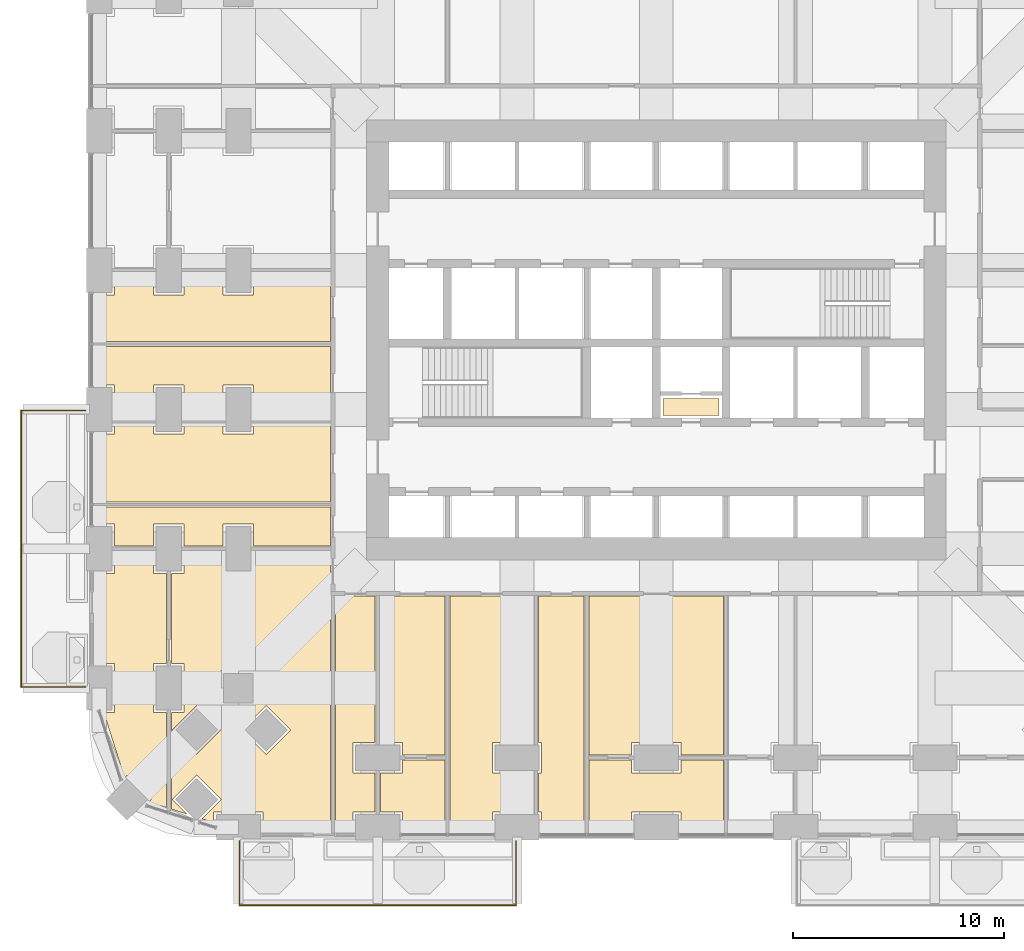
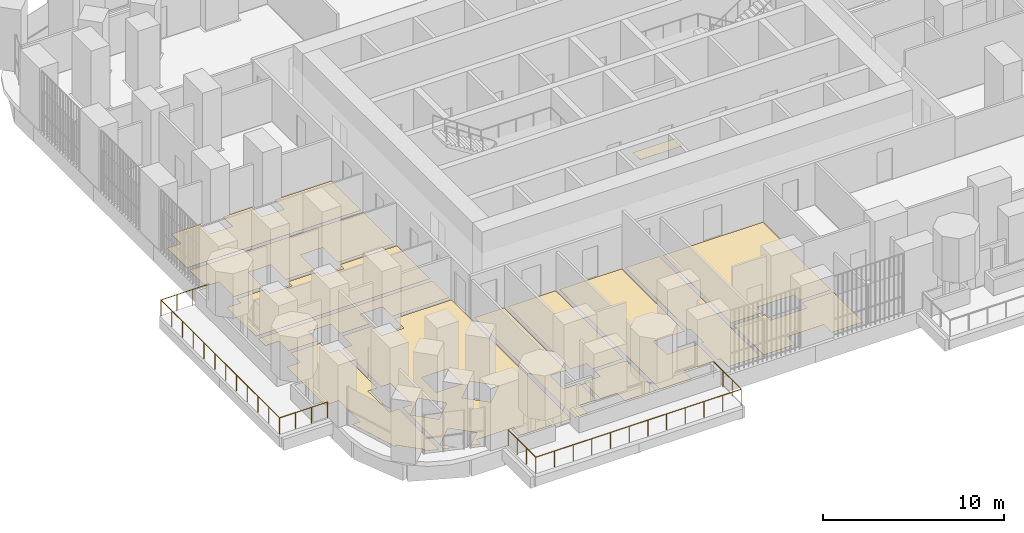
# One storey, part 23 of 27: 14 coverings, 2 railings.
"""IFC4 building model written with IfcOpenShell, lengths in metres."""

from ifc_helpers import new_model, si_unit, direction, frame, origin, place, context, subcontext, project, spatial, polyline, outline, extrude, material, layer, layer_set, type_object, element, save


model = new_model("IFC4")

# Units and contexts
model_context = context("Model", 3, precision=1e-05, world=origin(), true_north=direction((0.0, 1.0)))
body_context = subcontext(model_context, "Body", "Model", "MODEL_VIEW")
ifc_project = project(units=[si_unit("LENGTHUNIT", "METRE"), si_unit("AREAUNIT", "SQUARE_METRE"), si_unit("VOLUMEUNIT", "CUBIC_METRE"), si_unit("PLANEANGLEUNIT", "RADIAN"), si_unit("MASSUNIT", "GRAM", prefix="KILO")], contexts=[model_context])

# Site, building, storey
site_placement = place(None, origin())
site = spatial("IfcSite", under=ifc_project, at=site_placement, CompositionType="ELEMENT")
building_placement = place(site_placement, origin())
building = spatial("IfcBuilding", under=site, at=building_placement, Name="Cobogo Forest Laboratory Tower", CompositionType="ELEMENT")
storey_placement = place(building_placement, frame((0.0, 0.0, 63.300048828125)))
storey = spatial("IfcBuildingStorey", under=building, at=storey_placement, Name="L14", CompositionType="ELEMENT", Elevation=63.300048828125)

# Railings
ifc_material_1 = material(Name="Laminated glass balustrade", Category="glass")
railing_type = type_object("IfcRailingType", Name="BG1 glass balustrade 1100", PredefinedType="GUARDRAIL", material=ifc_material_1)
railing_1_placement = place(storey_placement, frame((6.64990234375, -0.64990234375, 0.0)))
element("IfcRailing", 1, at=railing_1_placement, inside=storey, type_object=railing_type, Name="Balcony balustrade BAL-S1 L14", PredefinedType="GUARDRAIL", context=body_context, shape_type="SweptSolid", body=[
    extrude(outline(polyline([(0.022216796875, 0.00927734375), (0.00927734375, 0.022216796875), (-0.00927734375, 0.022216796875), (-0.022216796875, 0.00927734375), (-0.022216796875, -0.00927734375), (-0.00927734375, -0.022216796875), (0.00927734375, -0.022216796875), (0.022216796875, -0.00927734375), (0.022216796875, 0.00927734375)])), frame((0.0, 0.0, 1.077880859375), z_axis=(0.0, -1.0, 0.0), x_axis=(1.0, 0.0, 0.0)), (0.0, 0.0, 1.0), 3.050048828125),
    extrude(outline(polyline([(0.022216796875, 0.00927734375), (0.00927734375, 0.022216796875), (-0.00927734375, 0.022216796875), (-0.022216796875, 0.00927734375), (-0.022216796875, -0.00927734375), (-0.00927734375, -0.022216796875), (0.00927734375, -0.022216796875), (0.022216796875, -0.00927734375), (0.022216796875, 0.00927734375)])), frame((0.0, -3.050048828125, 1.077880859375), z_axis=(1.0, 0.0, 0.0), x_axis=(0.0, 1.0, 0.0)), (0.0, 0.0, 1.0), 13.10009765625),
    extrude(outline(polyline([(0.022216796875, 0.00927734375), (0.00927734375, 0.022216796875), (-0.00927734375, 0.022216796875), (-0.022216796875, 0.00927734375), (-0.022216796875, -0.00927734375), (-0.00927734375, -0.022216796875), (0.00927734375, -0.022216796875), (0.022216796875, -0.00927734375), (0.022216796875, 0.00927734375)])), frame((13.10009765625, -3.050048828125, 1.077880859375), z_axis=(0.0, 1.0, 0.0), x_axis=(-1.0, 0.0, 0.0)), (0.0, 0.0, 1.0), 3.050048828125),
    extrude(outline(polyline([(0.019287109375, 0.008056640625), (0.008056640625, 0.019287109375), (-0.008056640625, 0.019287109375), (-0.019287109375, 0.008056640625), (-0.019287109375, -0.008056640625), (-0.008056640625, -0.019287109375), (0.008056640625, -0.019287109375), (0.019287109375, -0.008056640625), (0.019287109375, 0.008056640625)])), origin(), (0.0, 0.0, 1.0), 1.077880859375),
    extrude(outline(polyline([(0.019287109375, 0.008056640625), (0.008056640625, 0.019287109375), (-0.008056640625, 0.019287109375), (-0.019287109375, 0.008056640625), (-0.019287109375, -0.008056640625), (-0.008056640625, -0.019287109375), (0.008056640625, -0.019287109375), (0.019287109375, -0.008056640625), (0.019287109375, 0.008056640625)])), frame((0.0, -1.0166015625, 0.0)), (0.0, 0.0, 1.0), 1.077880859375),
    extrude(outline(polyline([(0.019287109375, 0.008056640625), (0.008056640625, 0.019287109375), (-0.008056640625, 0.019287109375), (-0.019287109375, 0.008056640625), (-0.019287109375, -0.008056640625), (-0.008056640625, -0.019287109375), (0.008056640625, -0.019287109375), (0.019287109375, -0.008056640625), (0.019287109375, 0.008056640625)])), frame((0.0, -2.033447265625, 0.0)), (0.0, 0.0, 1.0), 1.077880859375),
    extrude(outline(polyline([(0.019287109375, 0.008056640625), (0.008056640625, 0.019287109375), (-0.008056640625, 0.019287109375), (-0.019287109375, 0.008056640625), (-0.019287109375, -0.008056640625), (-0.008056640625, -0.019287109375), (0.008056640625, -0.019287109375), (0.019287109375, -0.008056640625), (0.019287109375, 0.008056640625)])), frame((0.0, -3.050048828125, 0.0)), (0.0, 0.0, 1.0), 1.077880859375),
    extrude(outline(polyline([(0.019287109375, 0.008056640625), (0.008056640625, 0.019287109375), (-0.008056640625, 0.019287109375), (-0.019287109375, 0.008056640625), (-0.019287109375, -0.008056640625), (-0.008056640625, -0.019287109375), (0.008056640625, -0.019287109375), (0.019287109375, -0.008056640625), (0.019287109375, 0.008056640625)])), frame((1.19091796875, -3.050048828125, 0.0)), (0.0, 0.0, 1.0), 1.077880859375),
    extrude(outline(polyline([(0.019287109375, 0.008056640625), (0.008056640625, 0.019287109375), (-0.008056640625, 0.019287109375), (-0.019287109375, 0.008056640625), (-0.019287109375, -0.008056640625), (-0.008056640625, -0.019287109375), (0.008056640625, -0.019287109375), (0.019287109375, -0.008056640625), (0.019287109375, 0.008056640625)])), frame((2.3818359375, -3.050048828125, 0.0)), (0.0, 0.0, 1.0), 1.077880859375),
    extrude(outline(polyline([(0.019287109375, 0.008056640625), (0.008056640625, 0.019287109375), (-0.008056640625, 0.019287109375), (-0.019287109375, 0.008056640625), (-0.019287109375, -0.008056640625), (-0.008056640625, -0.019287109375), (0.008056640625, -0.019287109375), (0.019287109375, -0.008056640625), (0.019287109375, 0.008056640625)])), frame((3.57275390625, -3.050048828125, 0.0)), (0.0, 0.0, 1.0), 1.077880859375),
    extrude(outline(polyline([(0.019287109375, 0.008056640625), (0.008056640625, 0.019287109375), (-0.008056640625, 0.019287109375), (-0.019287109375, 0.008056640625), (-0.019287109375, -0.008056640625), (-0.008056640625, -0.019287109375), (0.008056640625, -0.019287109375), (0.019287109375, -0.008056640625), (0.019287109375, 0.008056640625)])), frame((4.763671875, -3.050048828125, 0.0)), (0.0, 0.0, 1.0), 1.077880859375),
    extrude(outline(polyline([(0.019287109375, 0.008056640625), (0.008056640625, 0.019287109375), (-0.008056640625, 0.019287109375), (-0.019287109375, 0.008056640625), (-0.019287109375, -0.008056640625), (-0.008056640625, -0.019287109375), (0.008056640625, -0.019287109375), (0.019287109375, -0.008056640625), (0.019287109375, 0.008056640625)])), frame((5.95458984375, -3.050048828125, 0.0)), (0.0, 0.0, 1.0), 1.077880859375),
    extrude(outline(polyline([(0.019287109375, 0.008056640625), (0.008056640625, 0.019287109375), (-0.008056640625, 0.019287109375), (-0.019287109375, 0.008056640625), (-0.019287109375, -0.008056640625), (-0.008056640625, -0.019287109375), (0.008056640625, -0.019287109375), (0.019287109375, -0.008056640625), (0.019287109375, 0.008056640625)])), frame((7.1455078125, -3.050048828125, 0.0)), (0.0, 0.0, 1.0), 1.077880859375),
    extrude(outline(polyline([(0.019287109375, 0.008056640625), (0.008056640625, 0.019287109375), (-0.008056640625, 0.019287109375), (-0.019287109375, 0.008056640625), (-0.019287109375, -0.008056640625), (-0.008056640625, -0.019287109375), (0.008056640625, -0.019287109375), (0.019287109375, -0.008056640625), (0.019287109375, 0.008056640625)])), frame((8.33642578125, -3.050048828125, 0.0)), (0.0, 0.0, 1.0), 1.077880859375),
    extrude(outline(polyline([(0.019287109375, 0.008056640625), (0.008056640625, 0.019287109375), (-0.008056640625, 0.019287109375), (-0.019287109375, 0.008056640625), (-0.019287109375, -0.008056640625), (-0.008056640625, -0.019287109375), (0.008056640625, -0.019287109375), (0.019287109375, -0.008056640625), (0.019287109375, 0.008056640625)])), frame((9.52734375, -3.050048828125, 0.0)), (0.0, 0.0, 1.0), 1.077880859375),
    extrude(outline(polyline([(0.019287109375, 0.008056640625), (0.008056640625, 0.019287109375), (-0.008056640625, 0.019287109375), (-0.019287109375, 0.008056640625), (-0.019287109375, -0.008056640625), (-0.008056640625, -0.019287109375), (0.008056640625, -0.019287109375), (0.019287109375, -0.008056640625), (0.019287109375, 0.008056640625)])), frame((10.71826171875, -3.050048828125, 0.0)), (0.0, 0.0, 1.0), 1.077880859375),
    extrude(outline(polyline([(0.019287109375, 0.008056640625), (0.008056640625, 0.019287109375), (-0.008056640625, 0.019287109375), (-0.019287109375, 0.008056640625), (-0.019287109375, -0.008056640625), (-0.008056640625, -0.019287109375), (0.008056640625, -0.019287109375), (0.019287109375, -0.008056640625), (0.019287109375, 0.008056640625)])), frame((11.9091796875, -3.050048828125, 0.0)), (0.0, 0.0, 1.0), 1.077880859375),
    extrude(outline(polyline([(0.019287109375, 0.008056640625), (0.008056640625, 0.019287109375), (-0.008056640625, 0.019287109375), (-0.019287109375, 0.008056640625), (-0.019287109375, -0.008056640625), (-0.008056640625, -0.019287109375), (0.008056640625, -0.019287109375), (0.019287109375, -0.008056640625), (0.019287109375, 0.008056640625)])), frame((13.10009765625, -3.050048828125, 0.0)), (0.0, 0.0, 1.0), 1.077880859375),
    extrude(outline(polyline([(0.019287109375, 0.008056640625), (0.008056640625, 0.019287109375), (-0.008056640625, 0.019287109375), (-0.019287109375, 0.008056640625), (-0.019287109375, -0.008056640625), (-0.008056640625, -0.019287109375), (0.008056640625, -0.019287109375), (0.019287109375, -0.008056640625), (0.019287109375, 0.008056640625)])), frame((13.10009765625, -2.033447265625, 0.0)), (0.0, 0.0, 1.0), 1.077880859375),
    extrude(outline(polyline([(0.019287109375, 0.008056640625), (0.008056640625, 0.019287109375), (-0.008056640625, 0.019287109375), (-0.019287109375, 0.008056640625), (-0.019287109375, -0.008056640625), (-0.008056640625, -0.019287109375), (0.008056640625, -0.019287109375), (0.019287109375, -0.008056640625), (0.019287109375, 0.008056640625)])), frame((13.10009765625, -1.0166015625, 0.0)), (0.0, 0.0, 1.0), 1.077880859375),
    extrude(outline(polyline([(0.019287109375, 0.008056640625), (0.008056640625, 0.019287109375), (-0.008056640625, 0.019287109375), (-0.019287109375, 0.008056640625), (-0.019287109375, -0.008056640625), (-0.008056640625, -0.019287109375), (0.008056640625, -0.019287109375), (0.019287109375, -0.008056640625), (0.019287109375, 0.008056640625)])), frame((13.10009765625, 0.0, 0.0)), (0.0, 0.0, 1.0), 1.077880859375),
])
railing_2_placement = place(storey_placement, frame((-0.64990234375, 6.64990234375, 0.0)))
element("IfcRailing", 2, at=railing_2_placement, inside=storey, type_object=railing_type, Name="Balcony balustrade BAL-W1 L14", PredefinedType="GUARDRAIL", context=body_context, shape_type="SweptSolid", body=[
    extrude(outline(polyline([(0.022216796875, 0.00927734375), (0.00927734375, 0.022216796875), (-0.00927734375, 0.022216796875), (-0.022216796875, 0.00927734375), (-0.022216796875, -0.00927734375), (-0.00927734375, -0.022216796875), (0.00927734375, -0.022216796875), (0.022216796875, -0.00927734375), (0.022216796875, 0.00927734375)])), frame((0.0, 0.0, 1.077880859375), z_axis=(-1.0, 0.0, 0.0), x_axis=(0.0, -1.0, 0.0)), (0.0, 0.0, 1.0), 3.050048828125),
    extrude(outline(polyline([(0.022216796875, 0.00927734375), (0.00927734375, 0.022216796875), (-0.00927734375, 0.022216796875), (-0.022216796875, 0.00927734375), (-0.022216796875, -0.00927734375), (-0.00927734375, -0.022216796875), (0.00927734375, -0.022216796875), (0.022216796875, -0.00927734375), (0.022216796875, 0.00927734375)])), frame((-3.050048828125, 0.0, 1.077880859375), z_axis=(0.0, 1.0, 0.0), x_axis=(-1.0, 0.0, 0.0)), (0.0, 0.0, 1.0), 13.10009765625),
    extrude(outline(polyline([(0.022216796875, 0.00927734375), (0.00927734375, 0.022216796875), (-0.00927734375, 0.022216796875), (-0.022216796875, 0.00927734375), (-0.022216796875, -0.00927734375), (-0.00927734375, -0.022216796875), (0.00927734375, -0.022216796875), (0.022216796875, -0.00927734375), (0.022216796875, 0.00927734375)])), frame((-3.050048828125, 13.10009765625, 1.077880859375), z_axis=(1.0, 0.0, 0.0), x_axis=(0.0, 1.0, 0.0)), (0.0, 0.0, 1.0), 3.050048828125),
    extrude(outline(polyline([(0.019287109375, 0.008056640625), (0.008056640625, 0.019287109375), (-0.008056640625, 0.019287109375), (-0.019287109375, 0.008056640625), (-0.019287109375, -0.008056640625), (-0.008056640625, -0.019287109375), (0.008056640625, -0.019287109375), (0.019287109375, -0.008056640625), (0.019287109375, 0.008056640625)])), origin(), (0.0, 0.0, 1.0), 1.077880859375),
    extrude(outline(polyline([(0.019287109375, 0.008056640625), (0.008056640625, 0.019287109375), (-0.008056640625, 0.019287109375), (-0.019287109375, 0.008056640625), (-0.019287109375, -0.008056640625), (-0.008056640625, -0.019287109375), (0.008056640625, -0.019287109375), (0.019287109375, -0.008056640625), (0.019287109375, 0.008056640625)])), frame((-1.0166015625, 0.0, 0.0)), (0.0, 0.0, 1.0), 1.077880859375),
    extrude(outline(polyline([(0.019287109375, 0.008056640625), (0.008056640625, 0.019287109375), (-0.008056640625, 0.019287109375), (-0.019287109375, 0.008056640625), (-0.019287109375, -0.008056640625), (-0.008056640625, -0.019287109375), (0.008056640625, -0.019287109375), (0.019287109375, -0.008056640625), (0.019287109375, 0.008056640625)])), frame((-2.033447265625, 0.0, 0.0)), (0.0, 0.0, 1.0), 1.077880859375),
    extrude(outline(polyline([(0.019287109375, 0.008056640625), (0.008056640625, 0.019287109375), (-0.008056640625, 0.019287109375), (-0.019287109375, 0.008056640625), (-0.019287109375, -0.008056640625), (-0.008056640625, -0.019287109375), (0.008056640625, -0.019287109375), (0.019287109375, -0.008056640625), (0.019287109375, 0.008056640625)])), frame((-3.050048828125, 0.0, 0.0)), (0.0, 0.0, 1.0), 1.077880859375),
    extrude(outline(polyline([(0.019287109375, 0.008056640625), (0.008056640625, 0.019287109375), (-0.008056640625, 0.019287109375), (-0.019287109375, 0.008056640625), (-0.019287109375, -0.008056640625), (-0.008056640625, -0.019287109375), (0.008056640625, -0.019287109375), (0.019287109375, -0.008056640625), (0.019287109375, 0.008056640625)])), frame((-3.050048828125, 1.19091796875, 0.0)), (0.0, 0.0, 1.0), 1.077880859375),
    extrude(outline(polyline([(0.019287109375, 0.008056640625), (0.008056640625, 0.019287109375), (-0.008056640625, 0.019287109375), (-0.019287109375, 0.008056640625), (-0.019287109375, -0.008056640625), (-0.008056640625, -0.019287109375), (0.008056640625, -0.019287109375), (0.019287109375, -0.008056640625), (0.019287109375, 0.008056640625)])), frame((-3.050048828125, 2.3818359375, 0.0)), (0.0, 0.0, 1.0), 1.077880859375),
    extrude(outline(polyline([(0.019287109375, 0.008056640625), (0.008056640625, 0.019287109375), (-0.008056640625, 0.019287109375), (-0.019287109375, 0.008056640625), (-0.019287109375, -0.008056640625), (-0.008056640625, -0.019287109375), (0.008056640625, -0.019287109375), (0.019287109375, -0.008056640625), (0.019287109375, 0.008056640625)])), frame((-3.050048828125, 3.57275390625, 0.0)), (0.0, 0.0, 1.0), 1.077880859375),
    extrude(outline(polyline([(0.019287109375, 0.008056640625), (0.008056640625, 0.019287109375), (-0.008056640625, 0.019287109375), (-0.019287109375, 0.008056640625), (-0.019287109375, -0.008056640625), (-0.008056640625, -0.019287109375), (0.008056640625, -0.019287109375), (0.019287109375, -0.008056640625), (0.019287109375, 0.008056640625)])), frame((-3.050048828125, 4.763671875, 0.0)), (0.0, 0.0, 1.0), 1.077880859375),
    extrude(outline(polyline([(0.019287109375, 0.008056640625), (0.008056640625, 0.019287109375), (-0.008056640625, 0.019287109375), (-0.019287109375, 0.008056640625), (-0.019287109375, -0.008056640625), (-0.008056640625, -0.019287109375), (0.008056640625, -0.019287109375), (0.019287109375, -0.008056640625), (0.019287109375, 0.008056640625)])), frame((-3.050048828125, 5.95458984375, 0.0)), (0.0, 0.0, 1.0), 1.077880859375),
    extrude(outline(polyline([(0.019287109375, 0.008056640625), (0.008056640625, 0.019287109375), (-0.008056640625, 0.019287109375), (-0.019287109375, 0.008056640625), (-0.019287109375, -0.008056640625), (-0.008056640625, -0.019287109375), (0.008056640625, -0.019287109375), (0.019287109375, -0.008056640625), (0.019287109375, 0.008056640625)])), frame((-3.050048828125, 7.1455078125, 0.0)), (0.0, 0.0, 1.0), 1.077880859375),
    extrude(outline(polyline([(0.019287109375, 0.008056640625), (0.008056640625, 0.019287109375), (-0.008056640625, 0.019287109375), (-0.019287109375, 0.008056640625), (-0.019287109375, -0.008056640625), (-0.008056640625, -0.019287109375), (0.008056640625, -0.019287109375), (0.019287109375, -0.008056640625), (0.019287109375, 0.008056640625)])), frame((-3.050048828125, 8.33642578125, 0.0)), (0.0, 0.0, 1.0), 1.077880859375),
    extrude(outline(polyline([(0.019287109375, 0.008056640625), (0.008056640625, 0.019287109375), (-0.008056640625, 0.019287109375), (-0.019287109375, 0.008056640625), (-0.019287109375, -0.008056640625), (-0.008056640625, -0.019287109375), (0.008056640625, -0.019287109375), (0.019287109375, -0.008056640625), (0.019287109375, 0.008056640625)])), frame((-3.050048828125, 9.52734375, 0.0)), (0.0, 0.0, 1.0), 1.077880859375),
    extrude(outline(polyline([(0.019287109375, 0.008056640625), (0.008056640625, 0.019287109375), (-0.008056640625, 0.019287109375), (-0.019287109375, 0.008056640625), (-0.019287109375, -0.008056640625), (-0.008056640625, -0.019287109375), (0.008056640625, -0.019287109375), (0.019287109375, -0.008056640625), (0.019287109375, 0.008056640625)])), frame((-3.050048828125, 10.71826171875, 0.0)), (0.0, 0.0, 1.0), 1.077880859375),
    extrude(outline(polyline([(0.019287109375, 0.008056640625), (0.008056640625, 0.019287109375), (-0.008056640625, 0.019287109375), (-0.019287109375, 0.008056640625), (-0.019287109375, -0.008056640625), (-0.008056640625, -0.019287109375), (0.008056640625, -0.019287109375), (0.019287109375, -0.008056640625), (0.019287109375, 0.008056640625)])), frame((-3.050048828125, 11.9091796875, 0.0)), (0.0, 0.0, 1.0), 1.077880859375),
    extrude(outline(polyline([(0.019287109375, 0.008056640625), (0.008056640625, 0.019287109375), (-0.008056640625, 0.019287109375), (-0.019287109375, 0.008056640625), (-0.019287109375, -0.008056640625), (-0.008056640625, -0.019287109375), (0.008056640625, -0.019287109375), (0.019287109375, -0.008056640625), (0.019287109375, 0.008056640625)])), frame((-3.050048828125, 13.10009765625, 0.0)), (0.0, 0.0, 1.0), 1.077880859375),
    extrude(outline(polyline([(0.019287109375, 0.008056640625), (0.008056640625, 0.019287109375), (-0.008056640625, 0.019287109375), (-0.019287109375, 0.008056640625), (-0.019287109375, -0.008056640625), (-0.008056640625, -0.019287109375), (0.008056640625, -0.019287109375), (0.019287109375, -0.008056640625), (0.019287109375, 0.008056640625)])), frame((-2.033447265625, 13.10009765625, 0.0)), (0.0, 0.0, 1.0), 1.077880859375),
    extrude(outline(polyline([(0.019287109375, 0.008056640625), (0.008056640625, 0.019287109375), (-0.008056640625, 0.019287109375), (-0.019287109375, 0.008056640625), (-0.019287109375, -0.008056640625), (-0.008056640625, -0.019287109375), (0.008056640625, -0.019287109375), (0.019287109375, -0.008056640625), (0.019287109375, 0.008056640625)])), frame((-1.0166015625, 13.10009765625, 0.0)), (0.0, 0.0, 1.0), 1.077880859375),
    extrude(outline(polyline([(0.019287109375, 0.008056640625), (0.008056640625, 0.019287109375), (-0.008056640625, 0.019287109375), (-0.019287109375, 0.008056640625), (-0.019287109375, -0.008056640625), (-0.008056640625, -0.019287109375), (0.008056640625, -0.019287109375), (0.019287109375, -0.008056640625), (0.019287109375, 0.008056640625)])), frame((0.0, 13.10009765625, 0.0)), (0.0, 0.0, 1.0), 1.077880859375),
])

# Coverings
ifc_material_2 = material(Name="Carpet tile on raised access floor", Category="flooring")
ifc_layer_1 = layer(ifc_material_2, 0.008056640625)
ifc_layer_set_1 = layer_set([ifc_layer_1], Name="CT1 carpet tile floor 8")
covering_type_1 = type_object("IfcCoveringType", Name="CT1 carpet tile floor 8", PredefinedType="FLOORING", material=ifc_layer_set_1)
covering_1_placement = place(storey_placement, origin())
element("IfcCovering", 3, at=covering_1_placement, inside=storey, type_object=covering_type_1, Name="Carpet floor L14-01", PredefinedType="FLOORING", context=body_context, shape_type="SweptSolid", body=[
    extrude(outline(polyline([(13.080078125, 10.955078125), (13.080078125, 4.02001953125), (12.030029296875, 4.02001953125), (12.030029296875, 2.580078125), (13.080078125, 2.580078125), (13.080078125, 0.719970703125), (12.030029296875, 0.719970703125), (12.030029296875, -0.14990234375), (11.195068359375, -0.14990234375), (11.195068359375, 10.955078125), (13.080078125, 10.955078125)])), origin(), (0.0, 0.0, 1.0), 0.008056640625),
])
covering_2_placement = place(storey_placement, origin())
element("IfcCovering", 4, at=covering_2_placement, inside=storey, type_object=covering_type_1, Name="Carpet floor L14-03", PredefinedType="FLOORING", context=body_context, shape_type="SweptSolid", body=[
    extrude(outline(polyline([(16.3798828125, 3.179931640625), (16.3798828125, -0.14990234375), (14.3701171875, -0.14990234375), (14.3701171875, 0.719970703125), (13.320068359375, 0.719970703125), (13.320068359375, 2.580078125), (14.3701171875, 2.580078125), (14.3701171875, 3.179931640625), (16.3798828125, 3.179931640625)])), origin(), (0.0, 0.0, 1.0), 0.008056640625),
])
covering_3_placement = place(storey_placement, origin())
element("IfcCovering", 5, at=covering_3_placement, inside=storey, type_object=covering_type_1, Name="Carpet floor L14-04", PredefinedType="FLOORING", context=body_context, shape_type="SweptSolid", body=[
    extrude(outline(polyline([(20.580078125, 10.955078125), (20.580078125, 4.02001953125), (18.6298828125, 4.02001953125), (18.6298828125, 2.580078125), (20.580078125, 2.580078125), (20.580078125, 0.719970703125), (18.6298828125, 0.719970703125), (18.6298828125, -0.14990234375), (16.6201171875, -0.14990234375), (16.6201171875, 10.955078125), (20.580078125, 10.955078125)])), origin(), (0.0, 0.0, 1.0), 0.008056640625),
])
covering_4_placement = place(storey_placement, origin())
element("IfcCovering", 6, at=covering_4_placement, inside=storey, type_object=covering_type_1, Name="Carpet floor L14-07", PredefinedType="FLOORING", context=body_context, shape_type="SweptSolid", body=[
    extrude(outline(polyline([(25.22998046875, 3.179931640625), (25.22998046875, 2.580078125), (27.570068359375, 2.580078125), (27.570068359375, 3.179931640625), (29.580078125, 3.179931640625), (29.580078125, -0.14990234375), (27.570068359375, -0.14990234375), (27.570068359375, 0.719970703125), (25.22998046875, 0.719970703125), (25.22998046875, -0.14990234375), (23.219970703125, -0.14990234375), (23.219970703125, 3.179931640625), (25.22998046875, 3.179931640625)])), origin(), (0.0, 0.0, 1.0), 0.008056640625),
])
covering_5_placement = place(storey_placement, origin())
element("IfcCovering", 7, at=covering_5_placement, inside=storey, type_object=covering_type_1, Name="Carpet floor L14-29", PredefinedType="FLOORING", context=body_context, shape_type="SweptSolid", body=[
    extrude(outline(polyline([(3.179931640625, 7.77001953125), (2.580078125, 7.77001953125), (2.580078125, 5.429931640625), (3.179931640625, 5.429931640625), (3.179931640625, 0.939697265625), (2.358642578125, 1.19921875), (2.477783203125, 1.318115234375), (1.318115234375, 2.477783203125), (1.19921875, 2.358642578125), (0.229248046875, 5.429931640625), (0.719970703125, 5.429931640625), (0.719970703125, 7.77001953125), (-0.14990234375, 7.77001953125), (-0.14990234375, 12.030029296875), (0.719970703125, 12.030029296875), (0.719970703125, 13.080078125), (2.580078125, 13.080078125), (2.580078125, 12.030029296875), (3.179931640625, 12.030029296875), (3.179931640625, 7.77001953125)])), origin(), (0.0, 0.0, 1.0), 0.008056640625),
])
covering_6_placement = place(storey_placement, origin())
element("IfcCovering", 8, at=covering_6_placement, inside=storey, type_object=covering_type_1, Name="Carpet floor L14-43", PredefinedType="FLOORING", context=body_context, shape_type="SweptSolid", body=[
    extrude(outline(polyline([(29.3798828125, 19.52001953125), (26.719970703125, 19.52001953125), (26.719970703125, 20.330078125), (29.3798828125, 20.330078125), (29.3798828125, 19.52001953125)])), origin(), (0.0, 0.0, 1.0), 0.008056640625),
])
ifc_material_3 = material(Name="Epoxy resin flooring", Category="flooring")
ifc_layer_2 = layer(ifc_material_3, 0.00390625)
ifc_layer_set_2 = layer_set([ifc_layer_2], Name="LF1 epoxy laboratory floor 4")
covering_type_2 = type_object("IfcCoveringType", Name="LF1 epoxy laboratory floor 4", PredefinedType="FLOORING", material=ifc_layer_set_2)
covering_7_placement = place(storey_placement, origin())
element("IfcCovering", 9, at=covering_7_placement, inside=storey, type_object=covering_type_2, Name="Epoxy laboratory floor L14-02", PredefinedType="FLOORING", context=body_context, shape_type="SweptSolid", body=[
    extrude(outline(polyline([(13.320068359375, 10.955078125), (16.3798828125, 10.955078125), (16.3798828125, 3.419921875), (14.3701171875, 3.419921875), (14.3701171875, 4.02001953125), (13.320068359375, 4.02001953125), (13.320068359375, 10.955078125)])), origin(), (0.0, 0.0, 1.0), 0.00390625),
])
covering_8_placement = place(storey_placement, origin())
element("IfcCovering", 10, at=covering_8_placement, inside=storey, type_object=covering_type_2, Name="Epoxy laboratory floor L14-06", PredefinedType="FLOORING", context=body_context, shape_type="SweptSolid", body=[
    extrude(outline(polyline([(23.219970703125, 10.955078125), (29.580078125, 10.955078125), (29.580078125, 3.419921875), (27.570068359375, 3.419921875), (27.570068359375, 4.02001953125), (25.22998046875, 4.02001953125), (25.22998046875, 3.419921875), (23.219970703125, 3.419921875), (23.219970703125, 10.955078125)])), origin(), (0.0, 0.0, 1.0), 0.00390625),
])
covering_9_placement = place(storey_placement, origin())
element("IfcCovering", 11, at=covering_9_placement, inside=storey, type_object=covering_type_2, Name="Epoxy laboratory floor L14-28", PredefinedType="FLOORING", context=body_context, shape_type="SweptSolid", body=[
    extrude(outline(polyline([(5.8798828125, 13.080078125), (5.8798828125, 12.030029296875), (7.320068359375, 12.030029296875), (7.320068359375, 13.080078125), (10.955078125, 13.080078125), (10.955078125, -0.14990234375), (7.77001953125, -0.14990234375), (7.77001953125, 0.719970703125), (5.429931640625, 0.719970703125), (5.429931640625, 0.229248046875), (4.86669921875, 0.406982421875), (5.777587890625, 1.318115234375), (4.617919921875, 2.477783203125), (3.458251953125, 1.318115234375), (4.1396484375, 0.63671875), (3.419921875, 0.864013671875), (3.419921875, 5.429931640625), (4.02001953125, 5.429931640625), (4.02001953125, 7.77001953125), (3.419921875, 7.77001953125), (3.419921875, 12.030029296875), (4.02001953125, 12.030029296875), (4.02001953125, 13.080078125), (5.8798828125, 13.080078125)]), holes=[polyline([(7.91796875, 5.777587890625), (6.75830078125, 4.617919921875), (7.91796875, 3.458251953125), (9.07763671875, 4.617919921875), (7.91796875, 5.777587890625)]), polyline([(5.780029296875, 7.419921875), (5.780029296875, 5.780029296875), (7.419921875, 5.780029296875), (7.419921875, 7.419921875), (5.780029296875, 7.419921875)]), polyline([(3.458251953125, 4.617919921875), (4.617919921875, 3.458251953125), (5.777587890625, 4.617919921875), (4.617919921875, 5.777587890625), (3.458251953125, 4.617919921875)])]), origin(), (0.0, 0.0, 1.0), 0.00390625),
])
ifc_material_4 = material(Name="Ceramic floor tile", Category="flooring")
ifc_layer_3 = layer(ifc_material_4, 0.010009765625)
ifc_layer_set_3 = layer_set([ifc_layer_3], Name="TF1 ceramic tile floor 10")
covering_type_3 = type_object("IfcCoveringType", Name="TF1 ceramic tile floor 10", PredefinedType="FLOORING", material=ifc_layer_set_3)
covering_10_placement = place(storey_placement, origin())
element("IfcCovering", 12, at=covering_10_placement, inside=storey, type_object=covering_type_3, Name="Tile floor L14-05", PredefinedType="FLOORING", context=body_context, shape_type="SweptSolid", body=[
    extrude(outline(polyline([(22.97998046875, 10.955078125), (22.97998046875, -0.14990234375), (20.969970703125, -0.14990234375), (20.969970703125, 0.719970703125), (20.820068359375, 0.719970703125), (20.820068359375, 2.580078125), (20.969970703125, 2.580078125), (20.969970703125, 4.02001953125), (20.820068359375, 4.02001953125), (20.820068359375, 10.955078125), (22.97998046875, 10.955078125)])), origin(), (0.0, 0.0, 1.0), 0.010009765625),
])
covering_11_placement = place(storey_placement, origin())
element("IfcCovering", 13, at=covering_11_placement, inside=storey, type_object=covering_type_3, Name="Tile floor L14-30", PredefinedType="FLOORING", context=body_context, shape_type="SweptSolid", body=[
    extrude(outline(polyline([(10.955078125, 13.320068359375), (7.320068359375, 13.320068359375), (7.320068359375, 14.3701171875), (5.8798828125, 14.3701171875), (5.8798828125, 13.320068359375), (4.02001953125, 13.320068359375), (4.02001953125, 14.3701171875), (2.580078125, 14.3701171875), (2.580078125, 13.320068359375), (0.719970703125, 13.320068359375), (0.719970703125, 14.3701171875), (-0.14990234375, 14.3701171875), (-0.14990234375, 15.179931640625), (10.955078125, 15.179931640625), (10.955078125, 13.320068359375)])), origin(), (0.0, 0.0, 1.0), 0.010009765625),
])
covering_12_placement = place(storey_placement, origin())
element("IfcCovering", 14, at=covering_12_placement, inside=storey, type_object=covering_type_3, Name="Tile floor L14-31", PredefinedType="FLOORING", context=body_context, shape_type="SweptSolid", body=[
    extrude(outline(polyline([(10.955078125, 15.419921875), (-0.14990234375, 15.419921875), (-0.14990234375, 18.6298828125), (0.719970703125, 18.6298828125), (0.719970703125, 19.080078125), (2.580078125, 19.080078125), (2.580078125, 18.6298828125), (4.02001953125, 18.6298828125), (4.02001953125, 19.080078125), (5.8798828125, 19.080078125), (5.8798828125, 18.6298828125), (7.320068359375, 18.6298828125), (7.320068359375, 19.080078125), (10.955078125, 19.080078125), (10.955078125, 15.419921875)])), origin(), (0.0, 0.0, 1.0), 0.010009765625),
])
covering_13_placement = place(storey_placement, origin())
element("IfcCovering", 15, at=covering_13_placement, inside=storey, type_object=covering_type_3, Name="Tile floor L14-32", PredefinedType="FLOORING", context=body_context, shape_type="SweptSolid", body=[
    extrude(outline(polyline([(10.955078125, 19.320068359375), (7.320068359375, 19.320068359375), (7.320068359375, 20.969970703125), (5.8798828125, 20.969970703125), (5.8798828125, 19.320068359375), (4.02001953125, 19.320068359375), (4.02001953125, 20.969970703125), (2.580078125, 20.969970703125), (2.580078125, 19.320068359375), (0.719970703125, 19.320068359375), (0.719970703125, 20.969970703125), (-0.14990234375, 20.969970703125), (-0.14990234375, 22.780029296875), (10.955078125, 22.780029296875), (10.955078125, 19.320068359375)])), origin(), (0.0, 0.0, 1.0), 0.010009765625),
])
covering_14_placement = place(storey_placement, origin())
element("IfcCovering", 16, at=covering_14_placement, inside=storey, type_object=covering_type_3, Name="Tile floor L14-33", PredefinedType="FLOORING", context=body_context, shape_type="SweptSolid", body=[
    extrude(outline(polyline([(10.955078125, 23.02001953125), (-0.14990234375, 23.02001953125), (-0.14990234375, 25.22998046875), (0.719970703125, 25.22998046875), (0.719970703125, 26.280029296875), (2.580078125, 26.280029296875), (2.580078125, 25.22998046875), (4.02001953125, 25.22998046875), (4.02001953125, 26.280029296875), (5.8798828125, 26.280029296875), (5.8798828125, 25.22998046875), (7.320068359375, 25.22998046875), (7.320068359375, 26.280029296875), (10.955078125, 26.280029296875), (10.955078125, 23.02001953125)])), origin(), (0.0, 0.0, 1.0), 0.010009765625),
])

save(model, "model.ifc")
